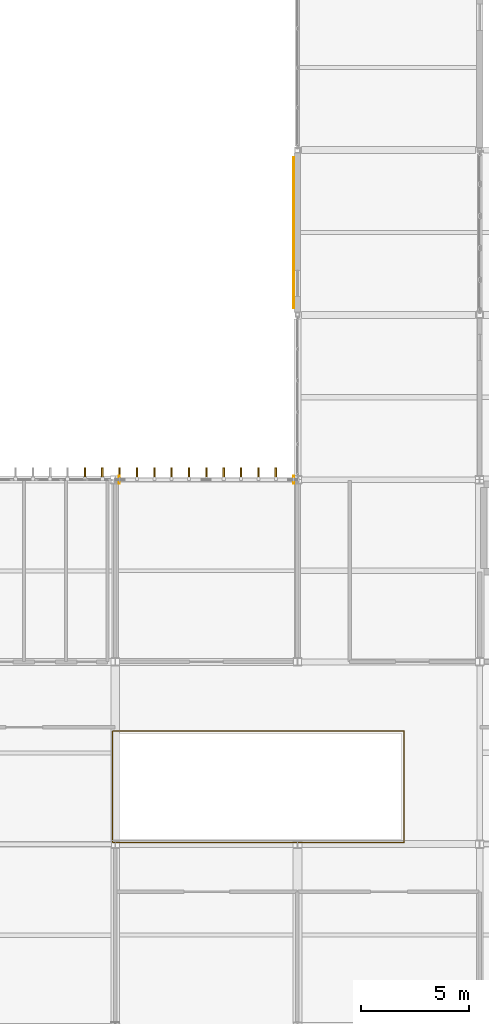
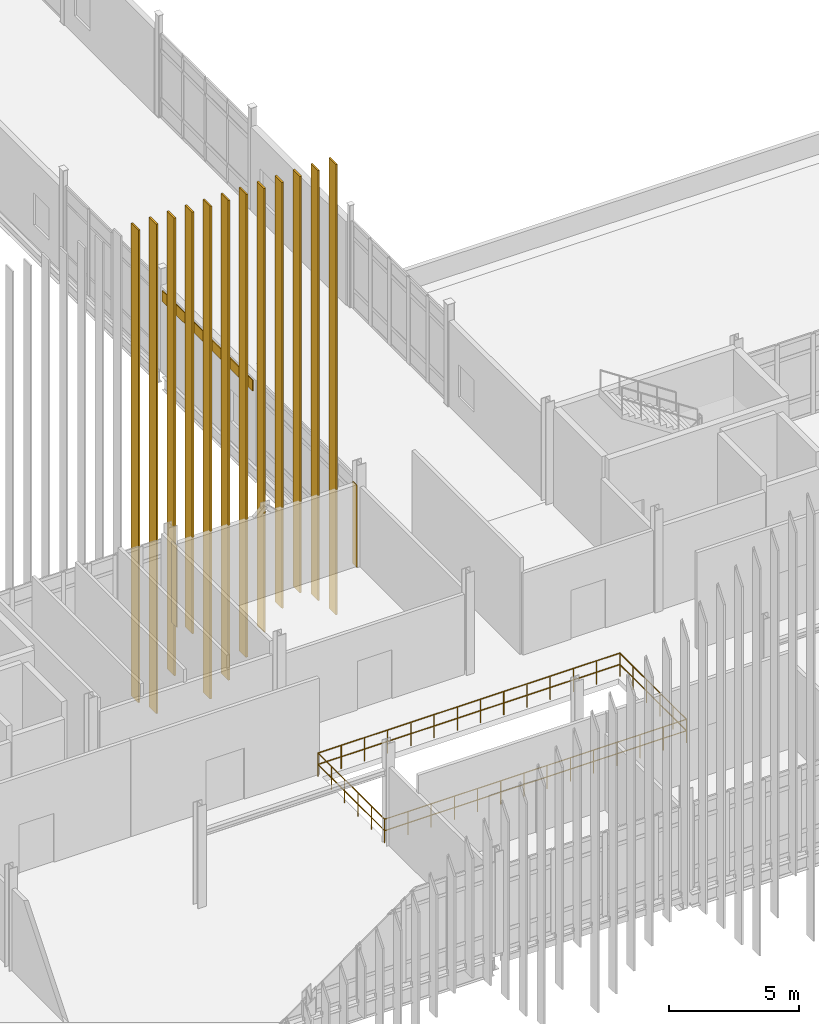
# One storey, part 140 of 153: 15 coverings, 1 railing.
"""IFC4 building model written with IfcOpenShell, lengths in metres."""

from ifc_helpers import new_model, si_unit, direction, frame, origin, origin_2d, place, context, subcontext, project, spatial, polyline, rectangle, circle, outline, extrude, material, layer, layer_set, type_object, element, save


model = new_model("IFC4")

# Units and contexts
model_context = context("Model", 3, precision=1e-05, world=origin(), true_north=direction((0.0, 1.0)))
body_context = subcontext(model_context, "Body", "Model", "MODEL_VIEW")
ifc_project = project(units=[si_unit("LENGTHUNIT", "METRE"), si_unit("AREAUNIT", "SQUARE_METRE"), si_unit("VOLUMEUNIT", "CUBIC_METRE"), si_unit("PLANEANGLEUNIT", "RADIAN"), si_unit("MASSUNIT", "GRAM", prefix="KILO")], contexts=[model_context])

# Site, building, storey
site_placement = place(None, origin())
site = spatial("IfcSite", under=ifc_project, at=site_placement, CompositionType="ELEMENT")
building_placement = place(site_placement, origin())
building = spatial("IfcBuilding", under=site, at=building_placement, Name="Calvrana Isthmian Art Gallery", CompositionType="ELEMENT")
storey_placement = place(building_placement, frame((0.0, 0.0, 10.199951171875)))
storey = spatial("IfcBuildingStorey", under=building, at=storey_placement, Name="L02", CompositionType="ELEMENT", Elevation=10.199951171875)

# Coverings
ifc_material_1 = material(Name="Polychrome glazed terracotta", Category="masonry")
ifc_layer_1 = layer(ifc_material_1, 0.0400390625, Name="Polychrome glazed terracotta")
ifc_layer_set_1 = layer_set([ifc_layer_1], Name="Polychrome glazed terracotta")
covering_type_1 = type_object("IfcCoveringType", Name="COV-CLAD-TERRA", PredefinedType="CLADDING", material=ifc_layer_set_1)
covering_1_placement = place(storey_placement, origin())
element("IfcCovering", 1, at=covering_1_placement, inside=storey, type_object=covering_type_1, Name="Column pocket weather closure L02-06-06-W", PredefinedType="CLADDING", context=body_context, shape_type="SweptSolid", body=[
    extrude(outline(polyline([(46.95947265625, 46.612060546875), (46.99951171875, 46.612060546875), (46.99951171875, 46.988037109375), (46.95947265625, 46.988037109375), (46.95947265625, 46.612060546875)])), origin(), (0.0, 0.0, 1.0), 3.84716796875),
])
covering_2_placement = place(storey_placement, origin())
element("IfcCovering", 2, at=covering_2_placement, inside=storey, type_object=covering_type_1, Name="Column pocket weather closure L02-06-06-E", PredefinedType="CLADDING", context=body_context, shape_type="SweptSolid", body=[
    extrude(outline(polyline([(55.001953125, 46.614501953125), (55.0419921875, 46.614501953125), (55.0419921875, 46.985595703125), (55.001953125, 46.985595703125), (55.001953125, 46.614501953125)])), origin(), (0.0, 0.0, 1.0), 3.84716796875),
])
covering_3_placement = place(storey_placement, frame((55.031982421875, 58.187255859375, 3.406982421875), z_axis=(0.0, 0.0, 1.0), x_axis=(0.0, 1.0, 0.0)))
element("IfcCovering", 3, at=covering_3_placement, inside=storey, type_object=covering_type_1, Name="Terracotta spandrel cladding 130", PredefinedType="CLADDING", context=body_context, shape_type="SweptSolid", body=[
    extrude(rectangle(XDim=6.971435546875, YDim=0.0400390625, at=origin_2d()), origin(), (0.0, 0.0, 1.0), 0.5),
])
ifc_material_2 = material(Name="Anodized bronze aluminium 6063-T6", Category="aluminium")
ifc_layer_2 = layer(ifc_material_2, 0.074951171875, Name="Anodized bronze aluminium 6063-T6")
ifc_layer_set_2 = layer_set([ifc_layer_2], Name="Anodized bronze aluminium 6063-T6")
covering_type_2 = type_object("IfcCoveringType", Name="COV-FIN-550", PredefinedType="CLADDING", material=ifc_layer_set_2)
covering_4_placement = place(storey_placement, frame((45.39990234375, 47.072998046875, -3.099853515625), z_axis=(0.0, 0.0, 1.0), x_axis=(1.0, 0.0, 0.0)))
element("IfcCovering", 4, at=covering_4_placement, inside=storey, type_object=covering_type_2, Name="Anodized bronze vertical solar fin FN-081", PredefinedType="CLADDING", context=body_context, shape_type="SweptSolid", body=[
    extrude(rectangle(XDim=0.074951171875, YDim=0.550048828125, at=origin_2d()), origin(), (0.0, 0.0, 1.0), 22.25),
])
covering_5_placement = place(storey_placement, frame((46.199951171875, 47.072998046875, -3.89990234375), z_axis=(0.0, 0.0, 1.0), x_axis=(1.0, 0.0, 0.0)))
element("IfcCovering", 5, at=covering_5_placement, inside=storey, type_object=covering_type_2, Name="Anodized bronze vertical solar fin FN-082", PredefinedType="CLADDING", context=body_context, shape_type="SweptSolid", body=[
    extrude(rectangle(XDim=0.074951171875, YDim=0.550048828125, at=origin_2d()), origin(), (0.0, 0.0, 1.0), 23.050048828125),
])
covering_6_placement = place(storey_placement, frame((47.0, 47.072998046875, -2.39990234375), z_axis=(0.0, 0.0, 1.0), x_axis=(1.0, 0.0, 0.0)))
element("IfcCovering", 6, at=covering_6_placement, inside=storey, type_object=covering_type_2, Name="Anodized bronze vertical solar fin FN-083", PredefinedType="CLADDING", context=body_context, shape_type="SweptSolid", body=[
    extrude(rectangle(XDim=0.074951171875, YDim=0.550048828125, at=origin_2d()), origin(), (0.0, 0.0, 1.0), 21.550048828125),
])
covering_7_placement = place(storey_placement, frame((47.800048828125, 47.072998046875, -0.699951171875), z_axis=(0.0, 0.0, 1.0), x_axis=(1.0, 0.0, 0.0)))
element("IfcCovering", 7, at=covering_7_placement, inside=storey, type_object=covering_type_2, Name="Anodized bronze vertical solar fin FN-084", PredefinedType="CLADDING", context=body_context, shape_type="SweptSolid", body=[
    extrude(rectangle(XDim=0.074951171875, YDim=0.550048828125, at=origin_2d()), origin(), (0.0, 0.0, 1.0), 19.85009765625),
])
covering_8_placement = place(storey_placement, frame((48.60009765625, 47.072998046875, -4.0498046875), z_axis=(0.0, 0.0, 1.0), x_axis=(1.0, 0.0, 0.0)))
element("IfcCovering", 8, at=covering_8_placement, inside=storey, type_object=covering_type_2, Name="Anodized bronze vertical solar fin FN-085", PredefinedType="CLADDING", context=body_context, shape_type="SweptSolid", body=[
    extrude(rectangle(XDim=0.074951171875, YDim=0.550048828125, at=origin_2d()), origin(), (0.0, 0.0, 1.0), 23.199951171875),
])
covering_9_placement = place(storey_placement, frame((49.39990234375, 47.072998046875, -3.449951171875), z_axis=(0.0, 0.0, 1.0), x_axis=(1.0, 0.0, 0.0)))
element("IfcCovering", 9, at=covering_9_placement, inside=storey, type_object=covering_type_2, Name="Anodized bronze vertical solar fin FN-086", PredefinedType="CLADDING", context=body_context, shape_type="SweptSolid", body=[
    extrude(rectangle(XDim=0.074951171875, YDim=0.550048828125, at=origin_2d()), origin(), (0.0, 0.0, 1.0), 22.60009765625),
])
covering_10_placement = place(storey_placement, frame((50.199951171875, 47.072998046875, -2.64990234375), z_axis=(0.0, 0.0, 1.0), x_axis=(1.0, 0.0, 0.0)))
element("IfcCovering", 10, at=covering_10_placement, inside=storey, type_object=covering_type_2, Name="Anodized bronze vertical solar fin FN-087", PredefinedType="CLADDING", context=body_context, shape_type="SweptSolid", body=[
    extrude(rectangle(XDim=0.074951171875, YDim=0.550048828125, at=origin_2d()), origin(), (0.0, 0.0, 1.0), 21.800048828125),
])
covering_11_placement = place(storey_placement, frame((51.0, 47.072998046875, -1.75), z_axis=(0.0, 0.0, 1.0), x_axis=(1.0, 0.0, 0.0)))
element("IfcCovering", 11, at=covering_11_placement, inside=storey, type_object=covering_type_2, Name="Anodized bronze vertical solar fin FN-088", PredefinedType="CLADDING", context=body_context, shape_type="SweptSolid", body=[
    extrude(rectangle(XDim=0.074951171875, YDim=0.550048828125, at=origin_2d()), origin(), (0.0, 0.0, 1.0), 20.89990234375),
])
covering_12_placement = place(storey_placement, frame((51.800048828125, 47.072998046875, -0.89990234375), z_axis=(0.0, 0.0, 1.0), x_axis=(1.0, 0.0, 0.0)))
element("IfcCovering", 12, at=covering_12_placement, inside=storey, type_object=covering_type_2, Name="Anodized bronze vertical solar fin FN-089", PredefinedType="CLADDING", context=body_context, shape_type="SweptSolid", body=[
    extrude(rectangle(XDim=0.074951171875, YDim=0.550048828125, at=origin_2d()), origin(), (0.0, 0.0, 1.0), 20.050048828125),
])
covering_13_placement = place(storey_placement, frame((52.60009765625, 47.072998046875, -0.449951171875), z_axis=(0.0, 0.0, 1.0), x_axis=(1.0, 0.0, 0.0)))
element("IfcCovering", 13, at=covering_13_placement, inside=storey, type_object=covering_type_2, Name="Anodized bronze vertical solar fin FN-090", PredefinedType="CLADDING", context=body_context, shape_type="SweptSolid", body=[
    extrude(rectangle(XDim=0.074951171875, YDim=0.550048828125, at=origin_2d()), origin(), (0.0, 0.0, 1.0), 19.60009765625),
])
covering_14_placement = place(storey_placement, frame((53.39990234375, 47.072998046875, -1.099853515625), z_axis=(0.0, 0.0, 1.0), x_axis=(1.0, 0.0, 0.0)))
element("IfcCovering", 14, at=covering_14_placement, inside=storey, type_object=covering_type_2, Name="Anodized bronze vertical solar fin FN-091", PredefinedType="CLADDING", context=body_context, shape_type="SweptSolid", body=[
    extrude(rectangle(XDim=0.074951171875, YDim=0.550048828125, at=origin_2d()), origin(), (0.0, 0.0, 1.0), 20.25),
])
covering_15_placement = place(storey_placement, frame((54.199951171875, 47.072998046875, -2.0498046875), z_axis=(0.0, 0.0, 1.0), x_axis=(1.0, 0.0, 0.0)))
element("IfcCovering", 15, at=covering_15_placement, inside=storey, type_object=covering_type_2, Name="Anodized bronze vertical solar fin FN-092", PredefinedType="CLADDING", context=body_context, shape_type="SweptSolid", body=[
    extrude(rectangle(XDim=0.074951171875, YDim=0.550048828125, at=origin_2d()), origin(), (0.0, 0.0, 1.0), 21.199951171875),
])

# Railing
ifc_material_3 = material(Name="Stainless steel 316", Category="steel")
railing_type = type_object("IfcRailingType", Name="RL-GUARD-1120", PredefinedType="BALUSTRADE", material=ifc_material_3)
railing_placement = place(storey_placement, frame((46.679931640625, 30.080078125, 0.0)))
element("IfcRailing", 16, at=railing_placement, inside=storey, type_object=railing_type, Name="Gallery atrium void balustrade L02", PredefinedType="BALUSTRADE", context=body_context, shape_type="SweptSolid", body=[
    extrude(circle(Radius=0.02392578125, at=origin_2d()), frame((0.0, 0.0, 1.09619140625), z_axis=(1.0, 0.0, 0.0), x_axis=(0.0, 1.0, 0.0)), (0.0, 0.0, 1.0), 13.440185546875),
    extrude(circle(Radius=0.02392578125, at=origin_2d()), frame((0.0, 0.0, 0.56005859375), z_axis=(1.0, 0.0, 0.0), x_axis=(0.0, 1.0, 0.0)), (0.0, 0.0, 1.0), 13.440185546875),
    extrude(circle(Radius=0.02392578125, at=origin_2d()), frame((13.440185546875, 0.0, 1.09619140625), z_axis=(0.0, 1.0, 0.0), x_axis=(-1.0, 0.0, 0.0)), (0.0, 0.0, 1.0), 5.139892578125),
    extrude(circle(Radius=0.02392578125, at=origin_2d()), frame((13.440185546875, 0.0, 0.56005859375), z_axis=(0.0, 1.0, 0.0), x_axis=(-1.0, 0.0, 0.0)), (0.0, 0.0, 1.0), 5.139892578125),
    extrude(circle(Radius=0.02392578125, at=origin_2d()), frame((13.440185546875, 5.139892578125, 1.09619140625), z_axis=(-1.0, 0.0, 0.0), x_axis=(0.0, -1.0, 0.0)), (0.0, 0.0, 1.0), 13.440185546875),
    extrude(circle(Radius=0.02392578125, at=origin_2d()), frame((13.440185546875, 5.139892578125, 0.56005859375), z_axis=(-1.0, 0.0, 0.0), x_axis=(0.0, -1.0, 0.0)), (0.0, 0.0, 1.0), 13.440185546875),
    extrude(circle(Radius=0.02392578125, at=origin_2d()), frame((0.0, 5.139892578125, 1.09619140625), z_axis=(0.0, -1.0, 0.0), x_axis=(1.0, 0.0, 0.0)), (0.0, 0.0, 1.0), 5.139892578125),
    extrude(circle(Radius=0.02392578125, at=origin_2d()), frame((0.0, 5.139892578125, 0.56005859375), z_axis=(0.0, -1.0, 0.0), x_axis=(1.0, 0.0, 0.0)), (0.0, 0.0, 1.0), 5.139892578125),
    extrude(circle(Radius=0.02099609375, at=origin_2d()), origin(), (0.0, 0.0, 1.0), 1.072021484375),
    extrude(circle(Radius=0.02099609375, at=origin_2d()), frame((1.033935546875, 0.0, 0.0)), (0.0, 0.0, 1.0), 1.072021484375),
    extrude(circle(Radius=0.02099609375, at=origin_2d()), frame((2.067626953125, 0.0, 0.0)), (0.0, 0.0, 1.0), 1.072021484375),
    extrude(circle(Radius=0.02099609375, at=origin_2d()), frame((3.1015625, 0.0, 0.0)), (0.0, 0.0, 1.0), 1.072021484375),
    extrude(circle(Radius=0.02099609375, at=origin_2d()), frame((4.135498046875, 0.0, 0.0)), (0.0, 0.0, 1.0), 1.072021484375),
    extrude(circle(Radius=0.02099609375, at=origin_2d()), frame((5.169189453125, 0.0, 0.0)), (0.0, 0.0, 1.0), 1.072021484375),
    extrude(circle(Radius=0.02099609375, at=origin_2d()), frame((6.203125, 0.0, 0.0)), (0.0, 0.0, 1.0), 1.072021484375),
    extrude(circle(Radius=0.02099609375, at=origin_2d()), frame((7.237060546875, 0.0, 0.0)), (0.0, 0.0, 1.0), 1.072021484375),
    extrude(circle(Radius=0.02099609375, at=origin_2d()), frame((8.27099609375, 0.0, 0.0)), (0.0, 0.0, 1.0), 1.072021484375),
    extrude(circle(Radius=0.02099609375, at=origin_2d()), frame((9.3046875, 0.0, 0.0)), (0.0, 0.0, 1.0), 1.072021484375),
    extrude(circle(Radius=0.02099609375, at=origin_2d()), frame((10.338623046875, 0.0, 0.0)), (0.0, 0.0, 1.0), 1.072021484375),
    extrude(circle(Radius=0.02099609375, at=origin_2d()), frame((11.37255859375, 0.0, 0.0)), (0.0, 0.0, 1.0), 1.072021484375),
    extrude(circle(Radius=0.02099609375, at=origin_2d()), frame((12.40625, 0.0, 0.0)), (0.0, 0.0, 1.0), 1.072021484375),
    extrude(circle(Radius=0.02099609375, at=origin_2d()), frame((13.440185546875, 0.0, 0.0)), (0.0, 0.0, 1.0), 1.072021484375),
    extrude(circle(Radius=0.02099609375, at=origin_2d()), frame((13.440185546875, 1.028076171875, 0.0)), (0.0, 0.0, 1.0), 1.072021484375),
    extrude(circle(Radius=0.02099609375, at=origin_2d()), frame((13.440185546875, 2.055908203125, 0.0)), (0.0, 0.0, 1.0), 1.072021484375),
    extrude(circle(Radius=0.02099609375, at=origin_2d()), frame((13.440185546875, 3.083984375, 0.0)), (0.0, 0.0, 1.0), 1.072021484375),
    extrude(circle(Radius=0.02099609375, at=origin_2d()), frame((13.440185546875, 4.11181640625, 0.0)), (0.0, 0.0, 1.0), 1.072021484375),
    extrude(circle(Radius=0.02099609375, at=origin_2d()), frame((13.440185546875, 5.139892578125, 0.0)), (0.0, 0.0, 1.0), 1.072021484375),
    extrude(circle(Radius=0.02099609375, at=origin_2d()), frame((12.40625, 5.139892578125, 0.0)), (0.0, 0.0, 1.0), 1.072021484375),
    extrude(circle(Radius=0.02099609375, at=origin_2d()), frame((11.37255859375, 5.139892578125, 0.0)), (0.0, 0.0, 1.0), 1.072021484375),
    extrude(circle(Radius=0.02099609375, at=origin_2d()), frame((10.338623046875, 5.139892578125, 0.0)), (0.0, 0.0, 1.0), 1.072021484375),
    extrude(circle(Radius=0.02099609375, at=origin_2d()), frame((9.3046875, 5.139892578125, 0.0)), (0.0, 0.0, 1.0), 1.072021484375),
    extrude(circle(Radius=0.02099609375, at=origin_2d()), frame((8.27099609375, 5.139892578125, 0.0)), (0.0, 0.0, 1.0), 1.072021484375),
    extrude(circle(Radius=0.02099609375, at=origin_2d()), frame((7.237060546875, 5.139892578125, 0.0)), (0.0, 0.0, 1.0), 1.072021484375),
    extrude(circle(Radius=0.02099609375, at=origin_2d()), frame((6.203125, 5.139892578125, 0.0)), (0.0, 0.0, 1.0), 1.072021484375),
    extrude(circle(Radius=0.02099609375, at=origin_2d()), frame((5.169189453125, 5.139892578125, 0.0)), (0.0, 0.0, 1.0), 1.072021484375),
    extrude(circle(Radius=0.02099609375, at=origin_2d()), frame((4.135498046875, 5.139892578125, 0.0)), (0.0, 0.0, 1.0), 1.072021484375),
    extrude(circle(Radius=0.02099609375, at=origin_2d()), frame((3.1015625, 5.139892578125, 0.0)), (0.0, 0.0, 1.0), 1.072021484375),
    extrude(circle(Radius=0.02099609375, at=origin_2d()), frame((2.067626953125, 5.139892578125, 0.0)), (0.0, 0.0, 1.0), 1.072021484375),
    extrude(circle(Radius=0.02099609375, at=origin_2d()), frame((1.033935546875, 5.139892578125, 0.0)), (0.0, 0.0, 1.0), 1.072021484375),
    extrude(circle(Radius=0.02099609375, at=origin_2d()), frame((0.0, 5.139892578125, 0.0)), (0.0, 0.0, 1.0), 1.072021484375),
    extrude(circle(Radius=0.02099609375, at=origin_2d()), frame((0.0, 4.11181640625, 0.0)), (0.0, 0.0, 1.0), 1.072021484375),
    extrude(circle(Radius=0.02099609375, at=origin_2d()), frame((0.0, 3.083984375, 0.0)), (0.0, 0.0, 1.0), 1.072021484375),
    extrude(circle(Radius=0.02099609375, at=origin_2d()), frame((0.0, 2.055908203125, 0.0)), (0.0, 0.0, 1.0), 1.072021484375),
    extrude(circle(Radius=0.02099609375, at=origin_2d()), frame((0.0, 1.028076171875, 0.0)), (0.0, 0.0, 1.0), 1.072021484375),
])

save(model, "model.ifc")
